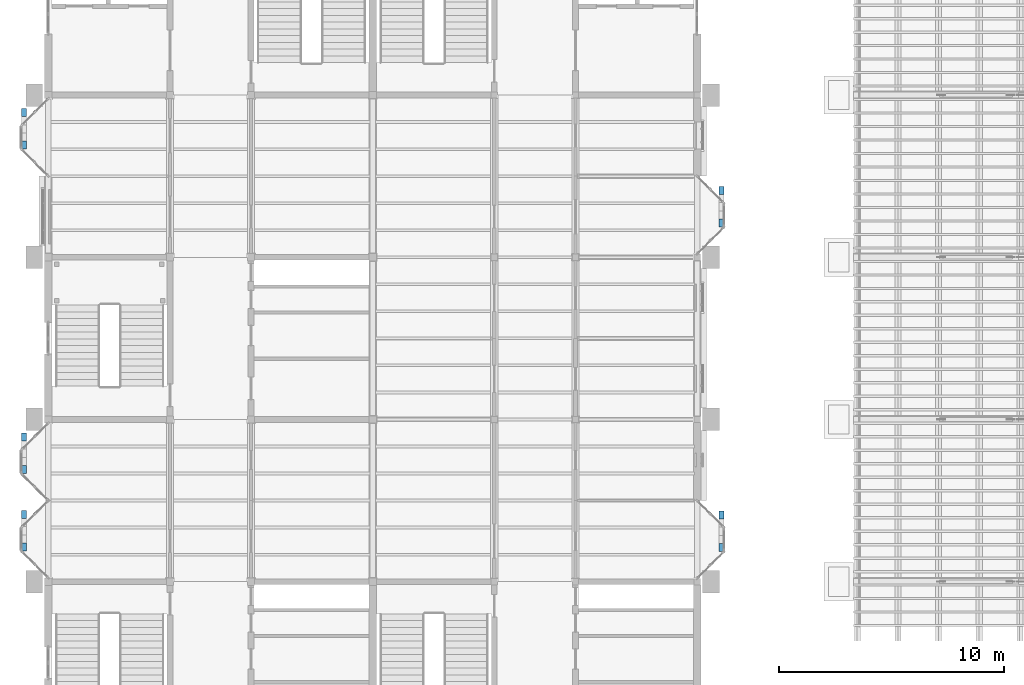
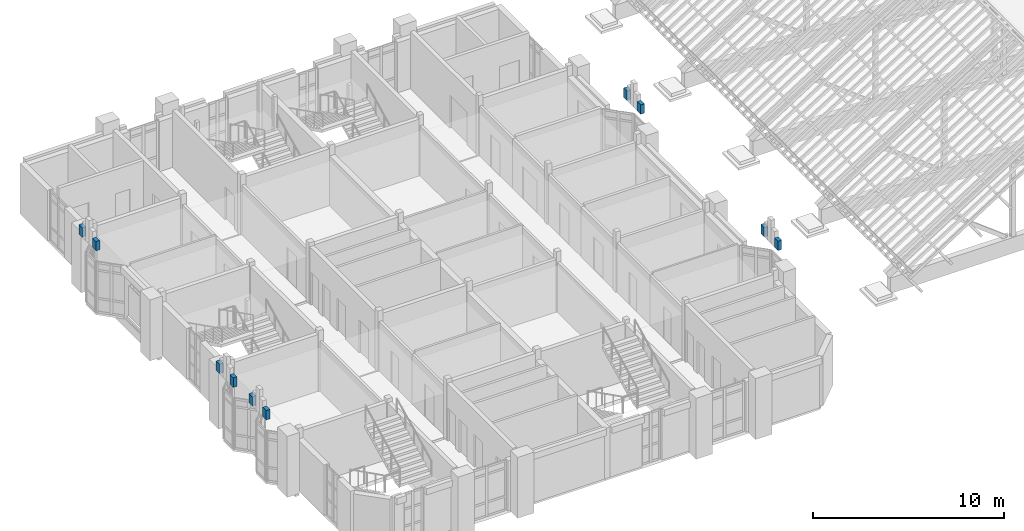
# One storey, part 49 of 71: 10 walls.
"""IFC4 building model written with IfcOpenShell, lengths in metres."""

import ifcopenshell
import ifcopenshell.guid

model = None  # the IFC model being written
_history = None  # IfcOwnerHistory: only IFC2X3 demands one
_inside = {}  # id of a spatial element -> (the spatial element, [elements in it])
_under = {}  # id of a project, library or spatial element -> (it, [spatial elements below it])
_declared = {}  # id of a project -> (the project, [libraries it declares])
_typed = {}  # id of a type object -> (the type object, [elements of that type])
_made_of = {}  # id of a material, layer set ... -> (it, [elements and type objects made of it])


def new_model(schema):
    """Start an empty IFC model of exactly this schema.

    Asked for "IFC4X3", IfcOpenShell would pick the latest addendum, in which some entities
    have other attributes; the version numbers below select the first issue.
    IFC2X3 requires an IfcOwnerHistory on every rooted entity: one is made here for all.
    """
    global model, _history
    if schema == "IFC4X3":
        model = ifcopenshell.file(schema_version=(4, 3, 0, 0))
    else:
        model = ifcopenshell.file(schema=schema)
    _inside.clear()
    _under.clear()
    _declared.clear()
    _typed.clear()
    _made_of.clear()
    _history = None
    if model.schema == "IFC2X3":
        org = make("IfcOrganization", Name="unknown")
        user = make(
            "IfcPersonAndOrganization",
            ThePerson=make("IfcPerson", FamilyName="unknown"),
            TheOrganization=org,
        )
        app = make(
            "IfcApplication",
            ApplicationDeveloper=org,
            Version="unknown",
            ApplicationFullName="unknown",
            ApplicationIdentifier="unknown",
        )
        _history = make(
            "IfcOwnerHistory",
            OwningUser=user,
            OwningApplication=app,
            ChangeAction="ADDED",
            CreationDate=0,
        )
    return model


def make(cls, **values):
    """One entity of the class cls with the attributes given. An attribute that is None is left unset."""
    return model.create_entity(
        cls, **{name: value for name, value in values.items() if value is not None}
    )


def rooted(cls, **values):
    """An entity with a GlobalId (a new one), such as an element, a storey or a relation."""
    return make(cls, GlobalId=ifcopenshell.guid.new(), OwnerHistory=_history, **values)


def si_unit(unit_type, name, prefix=None):
    """IfcSIUnit, for example si_unit("LENGTHUNIT", "METRE", prefix="MILLI")."""
    return make("IfcSIUnit", UnitType=unit_type, Prefix=prefix, Name=name)


def assignment(units):
    """IfcUnitAssignment: the units of a project."""
    return None if units is None else make("IfcUnitAssignment", Units=units)


def point(xyz):
    """IfcCartesianPoint."""
    return None if xyz is None else make("IfcCartesianPoint", Coordinates=xyz)


def direction(xyz):
    """IfcDirection."""
    return None if xyz is None else make("IfcDirection", DirectionRatios=xyz)


def frame(location, z_axis=None, x_axis=None):
    """IfcAxis2Placement3D, a coordinate frame: its origin and axes. An axis left out is left unset."""
    return make(
        "IfcAxis2Placement3D",
        Location=point(location),
        Axis=direction(z_axis),
        RefDirection=direction(x_axis),
    )


def frame_2d(location, x_axis=None):
    """IfcAxis2Placement2D, a coordinate frame in the plane: its origin and x axis."""
    return make(
        "IfcAxis2Placement2D", Location=point(location), RefDirection=direction(x_axis)
    )


def origin():
    """The frame at (0, 0, 0) with its axes left unset."""
    return frame((0.0, 0.0, 0.0))


def place(relative_to, where):
    """IfcLocalPlacement: puts the frame where relative to a parent placement (None: the world)."""
    return make(
        "IfcLocalPlacement", PlacementRelTo=relative_to, RelativePlacement=where
    )


def context(
    kind, dimensions, precision=None, world=None, true_north=None, identifier=None
):
    """IfcGeometricRepresentationContext, for example the 3D "Model" context."""
    return make(
        "IfcGeometricRepresentationContext",
        ContextIdentifier=identifier,
        ContextType=kind,
        CoordinateSpaceDimension=dimensions,
        Precision=precision,
        WorldCoordinateSystem=world,
        TrueNorth=true_north,
    )


def subcontext(parent, identifier, kind, view, scale=None):
    """IfcGeometricRepresentationSubContext, for example "Body" below "Model"."""
    return make(
        "IfcGeometricRepresentationSubContext",
        ContextIdentifier=identifier,
        ContextType=kind,
        ParentContext=parent,
        TargetScale=scale,
        TargetView=view,
    )


def project(units=None, contexts=None):
    """IfcProject with its units and contexts."""
    return rooted(
        "IfcProject",
        Name="project",
        RepresentationContexts=contexts,
        UnitsInContext=assignment(units),
    )


def spatial(cls, under=None, at=None, **own):
    """A site, building, storey or space (cls), placed at a placement, below another one or the project."""
    s = rooted(cls, ObjectPlacement=at, **own)
    if under is not None:
        _under.setdefault(under.id(), (under, []))[1].append(s)
    return s


def profile(cls, at=None, kind="AREA", **sizes):
    """A parametric profile (cls). Its sizes go by their IFC names, for example OverallWidth=200.0."""
    return make(cls, ProfileType=kind, Position=at, **sizes)


def rectangle(**sizes):
    """IfcRectangleProfileDef."""
    return profile("IfcRectangleProfileDef", **sizes)


def extrude(swept, where, along, depth):
    """IfcExtrudedAreaSolid: the profile swept, set in the frame where, extruded along a direction by depth."""
    return make(
        "IfcExtrudedAreaSolid",
        SweptArea=swept,
        Position=where,
        ExtrudedDirection=direction(along),
        Depth=depth,
    )


def shape(context_of_items, identifier, shape_type, items):
    """IfcShapeRepresentation: the items that make up one representation, for example the "Body"."""
    return make(
        "IfcShapeRepresentation",
        ContextOfItems=context_of_items,
        RepresentationIdentifier=identifier,
        RepresentationType=shape_type,
        Items=items,
    )


def material(Name=None, Category=None):
    """IfcMaterial."""
    return make("IfcMaterial", Name=Name, Category=Category)


def layer(
    of_material, thickness, ventilated=None, Name=None, Category=None, Priority=None
):
    """IfcMaterialLayer: one layer of a wall or slab, of a material (None: an air gap)."""
    return make(
        "IfcMaterialLayer",
        Material=of_material,
        LayerThickness=thickness,
        IsVentilated=ventilated,
        Name=Name,
        Category=Category,
        Priority=Priority,
    )


def layer_set(layers, Name=None):
    """IfcMaterialLayerSet."""
    return make("IfcMaterialLayerSet", MaterialLayers=layers, LayerSetName=Name)


def made_of(thing, what):
    """Note that an element or type object is made of a material, layer set ...; save() writes the relation."""
    if what is not None:
        _made_of.setdefault(what.id(), (what, []))[1].append(thing)
    return thing


def type_object(cls, material=None, **own):
    """A type object (cls), such as IfcWallType, which elements share."""
    return made_of(rooted(cls, **own), material)


def element(
    cls,
    number,
    at=None,
    inside=None,
    cuts=None,
    type_object=None,
    material=None,
    context=None,
    identifier="Body",
    shape_type=None,
    held_by="IfcProductDefinitionShape",
    body=None,
    shapes=None,
    **own,
):
    """One element of the class cls, such as IfcWall. Its Tag is "e" and its number.

    at: its placement. inside: the storey or other place that contains it. cuts: it is an
    opening in that element (IfcRelVoidsElement). A single representation is given by context,
    identifier, shape_type and body (its items); several are given by shapes. held_by: the class
    of the entity that holds the representations. save() writes the other relations.
    """
    e = rooted(cls, Tag="e%d" % number, ObjectPlacement=at, **own)
    if body is not None:
        shapes = [shape(context, identifier, shape_type, body)]
    if shapes is not None:
        e.Representation = make(held_by, Representations=shapes)
    if inside is not None:
        _inside.setdefault(inside.id(), (inside, []))[1].append(e)
    if cuts is not None:
        rooted(
            "IfcRelVoidsElement", RelatingBuildingElement=cuts, RelatedOpeningElement=e
        )
    if type_object is not None:
        _typed.setdefault(type_object.id(), (type_object, []))[1].append(e)
    return made_of(e, material)


def aggregate(whole, parts):
    """IfcRelAggregates: a whole, such as a stair, and the parts it consists of."""
    return rooted("IfcRelAggregates", RelatingObject=whole, RelatedObjects=parts)


def save(model, path):
    """Write the relations noted so far, then the file.

    IfcRelAggregates (storeys below a building ...), IfcRelContainedInSpatialStructure (elements
    in a storey), IfcRelDefinesByType, IfcRelAssociatesMaterial and IfcRelDeclares: one each for
    every whole, place, type object, material and project.
    """
    for whole, parts in _under.values():
        aggregate(whole, parts)
    for where, things in _inside.values():
        rooted(
            "IfcRelContainedInSpatialStructure",
            RelatedElements=things,
            RelatingStructure=where,
        )
    for kind, things in _typed.values():
        rooted("IfcRelDefinesByType", RelatedObjects=things, RelatingType=kind)
    for what, things in _made_of.values():
        rooted("IfcRelAssociatesMaterial", RelatedObjects=things, RelatingMaterial=what)
    for by, libraries in _declared.values():
        rooted("IfcRelDeclares", RelatingContext=by, RelatedDefinitions=libraries)
    model.write(path)


model = new_model("IFC4")

# Units and contexts
model_context = context("Model", 3, precision=1e-05, world=origin(), true_north=direction((0.0, 1.0)))
body_context = subcontext(model_context, "Body", "Model", "MODEL_VIEW")
ifc_project = project(units=[si_unit("LENGTHUNIT", "METRE"), si_unit("AREAUNIT", "SQUARE_METRE"), si_unit("VOLUMEUNIT", "CUBIC_METRE"), si_unit("PLANEANGLEUNIT", "RADIAN"), si_unit("MASSUNIT", "GRAM", prefix="KILO")], contexts=[model_context])

# Site, building, storey
site_placement = place(None, origin())
site = spatial("IfcSite", under=ifc_project, at=site_placement, CompositionType="ELEMENT")
building_placement = place(site_placement, origin())
building = spatial("IfcBuilding", under=site, at=building_placement, Name="Mazhai Court Health Centre", CompositionType="ELEMENT")
storey_placement = place(building_placement, frame((0.0, 0.0, 10.199951171875)))
storey = spatial("IfcBuildingStorey", under=building, at=storey_placement, Name="L02", CompositionType="ELEMENT", Elevation=10.199951171875)

# Walls
ifc_material = material(Name="Clay brick masonry", Category="masonry")
ifc_layer = layer(ifc_material, 0.22998046875)
ifc_layer_set = layer_set([ifc_layer], Name="BRICK PARAPET 230")
wall_type = type_object("IfcWallType", Name="BRICK PARAPET 230", PredefinedType="SOLIDWALL", material=ifc_layer_set)
for number, where, z_axis, x_axis, name in (
    (1, (5.114990234375, 14.760009765625, 3.900146484375), (0.0, 0.0, 1.0), (0.0, 1.0, 0.0), "PR-V2-L02-A10-0"),
    (2, (5.114990234375, 16.199951171875, 3.900146484375), (0.0, 0.0, 1.0), (0.0, 1.0, 0.0), "PR-V2-L02-A10-4"),
    (3, (5.114990234375, 18.199951171875, 3.900146484375), (0.0, 0.0, 1.0), (0.0, 1.0, 0.0), "PR-V2-L02-A11-0"),
    (4, (5.114990234375, 19.639892578125, 3.900146484375), (0.0, 0.0, 1.0), (0.0, 1.0, 0.0), "PR-V2-L02-A11-4"),
):
    element("IfcWall", number, at=place(storey_placement, frame(where, z_axis=z_axis, x_axis=x_axis)), inside=storey, type_object=wall_type, Name=name, PredefinedType="SOLIDWALL", context=body_context, shape_type="SweptSolid", body=[
        extrude(rectangle(XDim=0.360107421875, YDim=0.22998046875, at=frame_2d((0.18017578125, 0.0))), origin(), (0.0, 0.0, 1.0), 0.599853515625),
    ])
for number, where, z_axis, x_axis, name in (
    (5, (5.114990234375, 32.60009765625, 3.900146484375), (0.0, 0.0, 1.0), (0.0, 1.0, 0.0), "PR-V2-L02-A31-0"),
    (6, (5.114990234375, 34.0400390625, 3.900146484375), (0.0, 0.0, 1.0), (0.0, 1.0, 0.0), "PR-V2-L02-A31-4"),
):
    element("IfcWall", number, at=place(storey_placement, frame(where, z_axis=z_axis, x_axis=x_axis)), inside=storey, type_object=wall_type, Name=name, PredefinedType="SOLIDWALL", context=body_context, shape_type="SweptSolid", body=[
        extrude(rectangle(XDim=0.35986328125, YDim=0.22998046875, at=frame_2d((0.179931640625, 0.0))), origin(), (0.0, 0.0, 1.0), 0.599853515625),
    ])
for number, where, z_axis, x_axis, name in (
    (7, (36.0849609375, 15.10009765625, 3.900146484375), (0.0, 0.0, 1.0), (0.0, -1.0, 0.0), "PR-V5-L02-B10-0"),
    (8, (36.0849609375, 16.5400390625, 3.900146484375), (0.0, 0.0, 1.0), (0.0, -1.0, 0.0), "PR-V5-L02-B10-4"),
    (9, (36.0849609375, 29.5, 3.900146484375), (0.0, 0.0, 1.0), (0.0, -1.0, 0.0), "PR-V5-L02-B30-0"),
):
    element("IfcWall", number, at=place(storey_placement, frame(where, z_axis=z_axis, x_axis=x_axis)), inside=storey, type_object=wall_type, Name=name, PredefinedType="SOLIDWALL", context=body_context, shape_type="SweptSolid", body=[
        extrude(rectangle(XDim=0.360107421875, YDim=0.22998046875, at=frame_2d((0.18017578125, 0.0))), origin(), (0.0, 0.0, 1.0), 0.599853515625),
    ])
wall_placement = place(storey_placement, frame((36.0849609375, 30.93994140625, 3.900146484375), z_axis=(0.0, 0.0, 1.0), x_axis=(0.0, -1.0, 0.0)))
element("IfcWall", 10, at=wall_placement, inside=storey, type_object=wall_type, Name="PR-V5-L02-B30-4", PredefinedType="SOLIDWALL", context=body_context, shape_type="SweptSolid", body=[
    extrude(rectangle(XDim=0.35986328125, YDim=0.22998046875, at=frame_2d((0.179931640625, 0.0))), origin(), (0.0, 0.0, 1.0), 0.599853515625),
])

save(model, "model.ifc")
